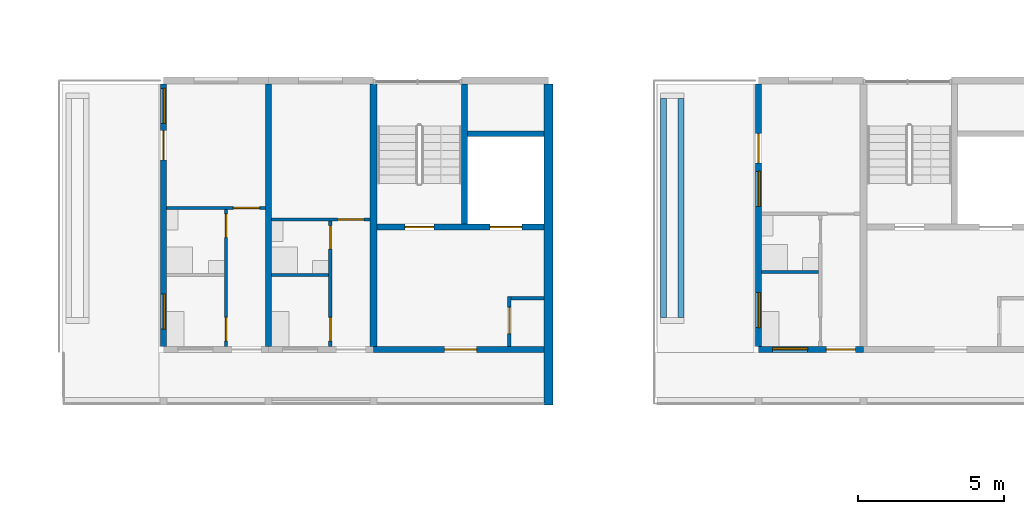
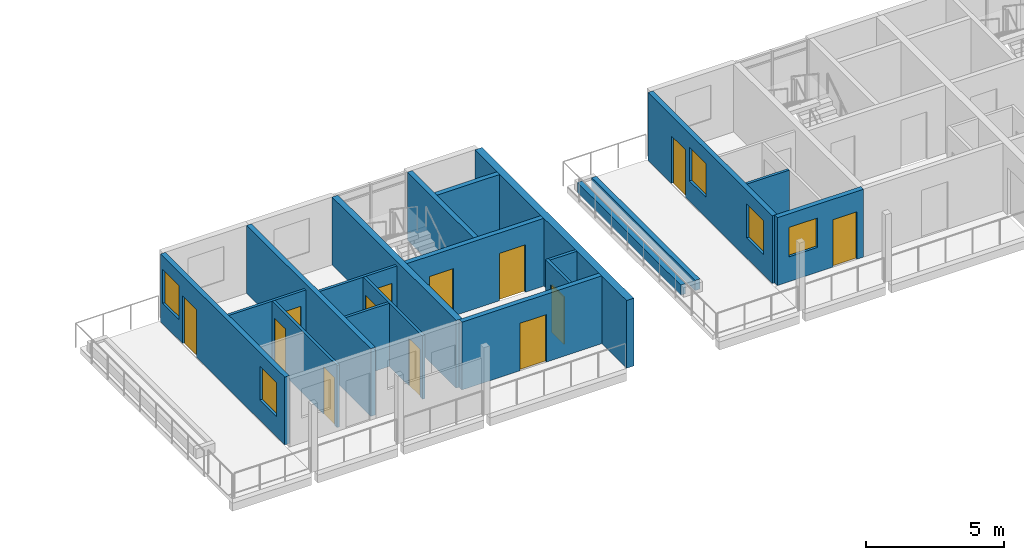
# One storey, part 50 of 94: 20 walls, 13 doors, 5 windows, 18 openings.
"""IFC4 building model written with IfcOpenShell, lengths in metres."""

from ifc_helpers import new_model, si_unit, direction, frame, frame_2d, origin, place, context, subcontext, project, spatial, rectangle, extrude, material, layer, layer_set, type_object, element, fill, save


model = new_model("IFC4")

# Units and contexts
model_context = context("Model", 3, precision=1e-05, world=origin(), true_north=direction((0.0, 1.0)))
body_context = subcontext(model_context, "Body", "Model", "MODEL_VIEW")
ifc_project = project(units=[si_unit("LENGTHUNIT", "METRE"), si_unit("AREAUNIT", "SQUARE_METRE"), si_unit("VOLUMEUNIT", "CUBIC_METRE"), si_unit("PLANEANGLEUNIT", "RADIAN"), si_unit("MASSUNIT", "GRAM", prefix="KILO")], contexts=[model_context])

# Site, building, storey
site_placement = place(None, origin())
site = spatial("IfcSite", under=ifc_project, at=site_placement, CompositionType="ELEMENT")
building_placement = place(site_placement, origin())
building = spatial("IfcBuilding", under=site, at=building_placement, Name="Ridgestep Commons", CompositionType="ELEMENT")
storey_placement = place(building_placement, frame((0.0, 0.0, 24.0)))
storey = spatial("IfcBuildingStorey", under=building, at=storey_placement, Name="L08", CompositionType="ELEMENT", Elevation=24.0)

# Wall
ifc_material_1 = material(Name="Concrete C30/37", Category="concrete")
ifc_layer_1 = layer(ifc_material_1, 0.25)
ifc_layer_set_1 = layer_set([ifc_layer_1], Name="Core cross wall 250")
wall_type_1 = type_object("IfcWallType", Name="Core cross wall 250", PredefinedType="SHEAR", material=ifc_layer_set_1)
wall_1_placement = place(storey_placement, frame((157.60009765625, 68.0, 0.0), z_axis=(0.0, 0.0, 1.0), x_axis=(0.0, 1.0, 0.0)))
element("IfcWall", 1, at=wall_1_placement, inside=storey, type_object=wall_type_1, Name="Cross wall C-08-1576", PredefinedType="SHEAR", context=body_context, shape_type="SweptSolid", body=[
    extrude(rectangle(XDim=9.0, YDim=0.25, at=frame_2d((4.5, 0.0))), origin(), (0.0, 0.0, 1.0), 3.0),
])

# Wall, opening, door
ifc_material_2 = material(Name="Concrete C30/37", Category="concrete")
ifc_layer_2 = layer(ifc_material_2, 0.199951171875)
ifc_layer_set_2 = layer_set([ifc_layer_2], Name="Core south wall 200")
wall_type_2 = type_object("IfcWallType", Name="Core south wall 200", PredefinedType="SHEAR", material=ifc_layer_set_2)
wall_2_placement = place(storey_placement, frame((157.60009765625, 67.89990234375, 0.0), z_axis=(0.0, 0.0, 1.0), x_axis=(1.0, 0.0, 0.0)))
wall_2 = element("IfcWall", 2, at=wall_2_placement, inside=storey, type_object=wall_type_2, Name="Core south wall C1C L08", PredefinedType="SHEAR", context=body_context, shape_type="SweptSolid", body=[
    extrude(rectangle(XDim=5.849853515625, YDim=0.199951171875, at=frame_2d((2.9248046875, 0.0))), origin(), (0.0, 0.0, 1.0), 3.0),
])
opening_1_placement = place(wall_2_placement, frame((2.4375, 0.0, 0.0)))
opening_1 = element("IfcOpeningElement", 3, at=opening_1_placement, cuts=wall_2, Name="Opening C1C/08/1", PredefinedType="OPENING", context=body_context, shape_type="SweptSolid", body=[
    extrude(rectangle(XDim=1.10009765625, YDim=2.10009765625, at=frame_2d((0.550048828125, 1.050048828125))), frame((0.0, 0.10986328125, 0.0), z_axis=(0.0, -1.0, 0.0), x_axis=(1.0, 0.0, 0.0)), (0.0, 0.0, 1.0), 0.219970703125),
])
ifc_material_3 = material(Name="Steel fire door", Category="steel")
door_type_1 = type_object("IfcDoorType", Name="Lobby door 1100 x 2100 FD60", OperationType="NOTDEFINED", PredefinedType="DOOR", material=ifc_material_3)
door_1_placement = place(opening_1_placement, origin())
door_1 = element("IfcDoor", 4, at=door_1_placement, inside=storey, type_object=door_type_1, Name="Lobby door C1C/08/1", OperationType="SINGLE_SWING_LEFT", OverallHeight=2.10009765625, OverallWidth=1.10009765625, PredefinedType="DOOR", context=body_context, shape_type="SweptSolid", body=[
    extrude(rectangle(XDim=1.10009765625, YDim=2.10009765625, at=frame_2d((0.550048828125, 1.050048828125))), frame((0.0, 0.02490234375, 0.0), z_axis=(0.0, -1.0, 0.0), x_axis=(1.0, 0.0, 0.0)), (0.0, 0.0, 1.0), 0.050048828125),
])
fill(opening_1, door_1)

ifc_material_4 = material(Name="Concrete C30/37", Category="concrete")
ifc_layer_3 = layer(ifc_material_4, 0.1201171875)
ifc_layer_set_3 = layer_set([ifc_layer_3], Name="Core wall 120")
wall_type_3 = type_object("IfcWallType", Name="Core wall 120", PredefinedType="SHEAR", material=ifc_layer_set_3)
wall_3_placement = place(storey_placement, frame((162.260009765625, 68.0, 0.0), z_axis=(0.0, 0.0, 1.0), x_axis=(0.0, 1.0, 0.0)))
wall_3 = element("IfcWall", 5, at=wall_3_placement, inside=storey, type_object=wall_type_3, Name="Core riser w wall C1C L08", PredefinedType="SHEAR", context=body_context, shape_type="SweptSolid", body=[
    extrude(rectangle(XDim=1.719970703125, YDim=0.1201171875, at=frame_2d((0.85986328125, 0.0))), origin(), (0.0, 0.0, 1.0), 3.0),
])
opening_2_placement = place(wall_3_placement, frame((0.449951171875, 0.0, 0.0)))
opening_2 = element("IfcOpeningElement", 6, at=opening_2_placement, cuts=wall_3, Name="Opening C1C/08/4", PredefinedType="OPENING", context=body_context, shape_type="SweptSolid", body=[
    extrude(rectangle(XDim=0.89990234375, YDim=2.10009765625, at=frame_2d((0.449951171875, 1.050048828125))), frame((0.0, 0.070068359375, 0.0), z_axis=(0.0, -1.0, 0.0), x_axis=(1.0, 0.0, 0.0)), (0.0, 0.0, 1.0), 0.14013671875),
])
ifc_material_5 = material(Name="Steel fire door", Category="steel")
door_type_2 = type_object("IfcDoorType", Name="Riser door 900 x 2100 FD60", OperationType="NOTDEFINED", PredefinedType="DOOR", material=ifc_material_5)
door_2_placement = place(opening_2_placement, origin())
door_2 = element("IfcDoor", 7, at=door_2_placement, inside=storey, type_object=door_type_2, Name="Riser door C1C/08/4", OperationType="SINGLE_SWING_LEFT", OverallHeight=2.10009765625, OverallWidth=0.89990234375, PredefinedType="DOOR", context=body_context, shape_type="SweptSolid", body=[
    extrude(rectangle(XDim=0.89990234375, YDim=2.10009765625, at=frame_2d((0.449951171875, 1.050048828125))), frame((0.0, 0.02490234375, 0.0), z_axis=(0.0, -1.0, 0.0), x_axis=(1.0, 0.0, 0.0)), (0.0, 0.0, 1.0), 0.050048828125),
])
fill(opening_2, door_2)

# Wall
wall_4_placement = place(storey_placement, frame((162.320068359375, 69.659912109375, 0.0), z_axis=(0.0, 0.0, 1.0), x_axis=(1.0, 0.0, 0.0)))
element("IfcWall", 8, at=wall_4_placement, inside=storey, type_object=wall_type_3, Name="Core riser n wall C1C L08", PredefinedType="SHEAR", context=body_context, shape_type="SweptSolid", body=[
    extrude(rectangle(XDim=1.1298828125, YDim=0.1201171875, at=frame_2d((0.56494140625, 0.0))), origin(), (0.0, 0.0, 1.0), 3.0),
])

# Wall, openings, doors
ifc_material_6 = material(Name="Concrete C30/37", Category="concrete")
ifc_layer_4 = layer(ifc_material_6, 0.199951171875)
ifc_layer_set_4 = layer_set([ifc_layer_4], Name="Core wall 200")
wall_type_4 = type_object("IfcWallType", Name="Core wall 200", PredefinedType="SHEAR", material=ifc_layer_set_4)
wall_5_placement = place(storey_placement, frame((157.72509765625, 72.10009765625, 0.0), z_axis=(0.0, 0.0, 1.0), x_axis=(1.0, 0.0, 0.0)))
wall_5 = element("IfcWall", 9, at=wall_5_placement, inside=storey, type_object=wall_type_4, Name="Core lobby wall C1C L08", PredefinedType="SHEAR", context=body_context, shape_type="SweptSolid", body=[
    extrude(rectangle(XDim=5.724853515625, YDim=0.199951171875, at=frame_2d((2.8623046875, 0.0))), origin(), (0.0, 0.0, 1.0), 3.0),
])
opening_3_placement = place(wall_5_placement, frame((0.949951171875, 0.0, 0.0)))
opening_3 = element("IfcOpeningElement", 10, at=opening_3_placement, cuts=wall_5, Name="Opening C1C/08/2", PredefinedType="OPENING", context=body_context, shape_type="SweptSolid", body=[
    extrude(rectangle(XDim=1.0, YDim=2.10009765625, at=frame_2d((0.5, 1.050048828125))), frame((0.0, 0.10986328125, 0.0), z_axis=(0.0, -1.0, 0.0), x_axis=(1.0, 0.0, 0.0)), (0.0, 0.0, 1.0), 0.219970703125),
])
opening_4_placement = place(wall_5_placement, frame((3.862548828125, 0.0, 0.0)))
opening_4 = element("IfcOpeningElement", 11, at=opening_4_placement, cuts=wall_5, Name="Opening C1C/08/3", PredefinedType="OPENING", context=body_context, shape_type="SweptSolid", body=[
    extrude(rectangle(XDim=1.10009765625, YDim=2.10009765625, at=frame_2d((0.550048828125, 1.050048828125))), frame((0.0, 0.10986328125, 0.0), z_axis=(0.0, -1.0, 0.0), x_axis=(1.0, 0.0, 0.0)), (0.0, 0.0, 1.0), 0.219970703125),
])
ifc_material_7 = material(Name="Stainless steel", Category="steel")
door_type_3 = type_object("IfcDoorType", Name="Lift landing door 1100 x 2100 FD60", OperationType="DOUBLE_DOOR_SLIDING", PredefinedType="DOOR", material=ifc_material_7)
door_3_placement = place(opening_4_placement, origin())
door_3 = element("IfcDoor", 12, at=door_3_placement, inside=storey, type_object=door_type_3, Name="Landing door LD C1C L08", OperationType="DOUBLE_DOOR_SLIDING", OverallHeight=2.10009765625, OverallWidth=1.10009765625, PredefinedType="DOOR", context=body_context, shape_type="SweptSolid", body=[
    extrude(rectangle(XDim=1.10009765625, YDim=2.10009765625, at=frame_2d((0.550048828125, 1.050048828125))), frame((0.0, 0.02490234375, 0.0), z_axis=(0.0, -1.0, 0.0), x_axis=(1.0, 0.0, 0.0)), (0.0, 0.0, 1.0), 0.050048828125),
])
fill(opening_4, door_3)
ifc_material_8 = material(Name="Steel fire door", Category="steel")
door_type_4 = type_object("IfcDoorType", Name="Stair door 1000 x 2100 FD60", OperationType="NOTDEFINED", PredefinedType="DOOR", material=ifc_material_8)
door_4_placement = place(opening_3_placement, origin())
door_4 = element("IfcDoor", 13, at=door_4_placement, inside=storey, type_object=door_type_4, Name="Stair door C1C/08/2", OperationType="SINGLE_SWING_RIGHT", OverallHeight=2.10009765625, OverallWidth=1.0, PredefinedType="DOOR", context=body_context, shape_type="SweptSolid", body=[
    extrude(rectangle(XDim=1.0, YDim=2.10009765625, at=frame_2d((0.5, 1.050048828125))), frame((0.0, 0.02490234375, 0.0), z_axis=(0.0, -1.0, 0.0), x_axis=(1.0, 0.0, 0.0)), (0.0, 0.0, 1.0), 0.050048828125),
])
fill(opening_3, door_4)

# Walls
wall_6_placement = place(storey_placement, frame((160.72509765625, 72.199951171875, 0.0), z_axis=(0.0, 0.0, 1.0), x_axis=(0.0, 1.0, 0.0)))
element("IfcWall", 14, at=wall_6_placement, inside=storey, type_object=wall_type_4, Name="Core stair wall C1C L08", PredefinedType="SHEAR", context=body_context, shape_type="SweptSolid", body=[
    extrude(rectangle(XDim=4.800048828125, YDim=0.199951171875, at=frame_2d((2.39990234375, 0.0))), origin(), (0.0, 0.0, 1.0), 3.0),
])
wall_7_placement = place(storey_placement, frame((160.824951171875, 75.300048828125, 0.0), z_axis=(0.0, 0.0, 1.0), x_axis=(1.0, 0.0, 0.0)))
element("IfcWall", 15, at=wall_7_placement, inside=storey, type_object=wall_type_4, Name="Core duct wall C1C L08", PredefinedType="SHEAR", context=body_context, shape_type="SweptSolid", body=[
    extrude(rectangle(XDim=2.625, YDim=0.199951171875, at=frame_2d((1.3125, 0.0))), origin(), (0.0, 0.0, 1.0), 3.0),
])
ifc_material_9 = material(Name="Precast concrete C40/50", Category="concrete")
ifc_layer_5 = layer(ifc_material_9, 0.199951171875)
ifc_layer_set_5 = layer_set([ifc_layer_5], Name="Cross wall 200")
wall_type_5 = type_object("IfcWallType", Name="Cross wall 200", PredefinedType="SHEAR", material=ifc_layer_set_5)
wall_8_placement = place(storey_placement, frame((154.0, 68.0, 0.0), z_axis=(0.0, 0.0, 1.0), x_axis=(0.0, 1.0, 0.0)))
element("IfcWall", 16, at=wall_8_placement, inside=storey, type_object=wall_type_5, Name="Cross wall C-08-1540", PredefinedType="SHEAR", context=body_context, shape_type="SweptSolid", body=[
    extrude(rectangle(XDim=9.0, YDim=0.199951171875, at=frame_2d((4.5, 0.0))), origin(), (0.0, 0.0, 1.0), 3.0),
])

# Wall, openings, windows, door
ifc_material_10 = material(Name="Precast concrete C40/50", Category="concrete")
ifc_layer_6 = layer(ifc_material_10, 0.199951171875)
ifc_layer_set_6 = layer_set([ifc_layer_6], Name="Exposed cross wall 200")
wall_type_6 = type_object("IfcWallType", Name="Exposed cross wall 200", PredefinedType="SHEAR", material=ifc_layer_set_6)
wall_9_placement = place(storey_placement, frame((150.39990234375, 68.0, 0.0), z_axis=(0.0, 0.0, 1.0), x_axis=(0.0, 1.0, 0.0)))
wall_9 = element("IfcWall", 17, at=wall_9_placement, inside=storey, type_object=wall_type_6, Name="Cross wall C-08-1504", PredefinedType="SHEAR", context=body_context, shape_type="SweptSolid", body=[
    extrude(rectangle(XDim=9.0, YDim=0.199951171875, at=frame_2d((4.5, 0.0))), origin(), (0.0, 0.0, 1.0), 3.0),
])
opening_5_placement = place(wall_9_placement, frame((0.60009765625, 0.0, 0.89990234375)))
opening_5 = element("IfcOpeningElement", 18, at=opening_5_placement, cuts=wall_9, Name="Opening W10", PredefinedType="OPENING", context=body_context, shape_type="SweptSolid", body=[
    extrude(rectangle(XDim=1.199951171875, YDim=1.5, at=frame_2d((0.60009765625, 0.75))), frame((0.0, 0.10986328125, 0.0), z_axis=(0.0, -1.0, 0.0), x_axis=(1.0, 0.0, 0.0)), (0.0, 0.0, 1.0), 0.219970703125),
])
opening_6_placement = place(wall_9_placement, frame((7.652587890625, 0.0, 0.89990234375)))
opening_6 = element("IfcOpeningElement", 19, at=opening_6_placement, cuts=wall_9, Name="Opening W10", PredefinedType="OPENING", context=body_context, shape_type="SweptSolid", body=[
    extrude(rectangle(XDim=1.199951171875, YDim=1.5, at=frame_2d((0.60009765625, 0.75))), frame((0.0, 0.10986328125, 0.0), z_axis=(0.0, -1.0, 0.0), x_axis=(1.0, 0.0, 0.0)), (0.0, 0.0, 1.0), 0.219970703125),
])
opening_7_placement = place(wall_9_placement, frame((6.405029296875, 0.0, 0.0)))
opening_7 = element("IfcOpeningElement", 20, at=opening_7_placement, cuts=wall_9, Name="Opening C1-08a/5", PredefinedType="OPENING", context=body_context, shape_type="SweptSolid", body=[
    extrude(rectangle(XDim=1.0, YDim=2.10009765625, at=frame_2d((0.5, 1.050048828125))), frame((0.0, 0.10986328125, 0.0), z_axis=(0.0, -1.0, 0.0), x_axis=(1.0, 0.0, 0.0)), (0.0, 0.0, 1.0), 0.219970703125),
])
ifc_material_11 = material(Name="Aluminium 6063-T6 and glass", Category="aluminium")
window_type_1 = type_object("IfcWindowType", Name="Flat window 1200 x 1500", PartitioningType="SINGLE_PANEL", PredefinedType="WINDOW", material=ifc_material_11)
window_1_placement = place(opening_5_placement, origin())
window_1 = element("IfcWindow", 21, at=window_1_placement, inside=storey, type_object=window_type_1, Name="Window C1-08a 3", OverallHeight=1.5, OverallWidth=1.199951171875, PartitioningType="SINGLE_PANEL", PredefinedType="WINDOW", context=body_context, shape_type="SweptSolid", body=[
    extrude(rectangle(XDim=1.199951171875, YDim=1.5, at=frame_2d((0.60009765625, 0.75))), frame((0.0, 0.0, 0.0), z_axis=(0.0, -1.0, 0.0), x_axis=(1.0, 0.0, 0.0)), (0.0, 0.0, 1.0), 0.06005859375),
])
fill(opening_5, window_1)
window_2_placement = place(opening_6_placement, origin())
window_2 = element("IfcWindow", 22, at=window_2_placement, inside=storey, type_object=window_type_1, Name="Window C1-08a 4", OverallHeight=1.5, OverallWidth=1.199951171875, PartitioningType="SINGLE_PANEL", PredefinedType="WINDOW", context=body_context, shape_type="SweptSolid", body=[
    extrude(rectangle(XDim=1.199951171875, YDim=1.5, at=frame_2d((0.60009765625, 0.75))), frame((0.0, 0.0, 0.0), z_axis=(0.0, -1.0, 0.0), x_axis=(1.0, 0.0, 0.0)), (0.0, 0.0, 1.0), 0.06005859375),
])
fill(opening_6, window_2)
ifc_material_12 = material(Name="Aluminium and glass", Category="aluminium")
door_type_5 = type_object("IfcDoorType", Name="Terrace door 1000 x 2100", OperationType="NOTDEFINED", PredefinedType="DOOR", material=ifc_material_12)
door_5_placement = place(opening_7_placement, origin())
door_5 = element("IfcDoor", 23, at=door_5_placement, inside=storey, type_object=door_type_5, Name="Terrace door C1-08a/5", OperationType="SINGLE_SWING_RIGHT", OverallHeight=2.10009765625, OverallWidth=1.0, PredefinedType="DOOR", context=body_context, shape_type="SweptSolid", body=[
    extrude(rectangle(XDim=1.0, YDim=2.10009765625, at=frame_2d((0.5, 1.050048828125))), frame((0.0, 0.02490234375, 0.0), z_axis=(0.0, -1.0, 0.0), x_axis=(1.0, 0.0, 0.0)), (0.0, 0.0, 1.0), 0.050048828125),
])
fill(opening_7, door_5)

wall_10_placement = place(storey_placement, frame((170.800048828125, 68.0, 0.0), z_axis=(0.0, 0.0, 1.0), x_axis=(0.0, 1.0, 0.0)))
wall_10 = element("IfcWall", 24, at=wall_10_placement, inside=storey, type_object=wall_type_6, Name="Cross wall C-08-1708", PredefinedType="SHEAR", context=body_context, shape_type="SweptSolid", body=[
    extrude(rectangle(XDim=9.0, YDim=0.199951171875, at=frame_2d((4.5, 0.0))), origin(), (0.0, 0.0, 1.0), 3.0),
])
opening_8_placement = place(wall_10_placement, frame((0.64990234375, 0.0, 0.89990234375)))
opening_8 = element("IfcOpeningElement", 25, at=opening_8_placement, cuts=wall_10, Name="Opening W10", PredefinedType="OPENING", context=body_context, shape_type="SweptSolid", body=[
    extrude(rectangle(XDim=1.199951171875, YDim=1.5, at=frame_2d((0.60009765625, 0.75))), frame((0.0, 0.10986328125, 0.0), z_axis=(0.0, -1.0, 0.0), x_axis=(1.0, 0.0, 0.0)), (0.0, 0.0, 1.0), 0.219970703125),
])
opening_9_placement = place(wall_10_placement, frame((4.8076171875, 0.0, 0.89990234375)))
opening_9 = element("IfcOpeningElement", 26, at=opening_9_placement, cuts=wall_10, Name="Opening W10", PredefinedType="OPENING", context=body_context, shape_type="SweptSolid", body=[
    extrude(rectangle(XDim=1.199951171875, YDim=1.5, at=frame_2d((0.60009765625, 0.75))), frame((0.0, 0.10986328125, 0.0), z_axis=(0.0, -1.0, 0.0), x_axis=(1.0, 0.0, 0.0)), (0.0, 0.0, 1.0), 0.219970703125),
])
opening_10_placement = place(wall_10_placement, frame((6.304931640625, 0.0, 0.0)))
opening_10 = element("IfcOpeningElement", 27, at=opening_10_placement, cuts=wall_10, Name="Opening C2-08a/5", PredefinedType="OPENING", context=body_context, shape_type="SweptSolid", body=[
    extrude(rectangle(XDim=1.0, YDim=2.10009765625, at=frame_2d((0.5, 1.050048828125))), frame((0.0, 0.10986328125, 0.0), z_axis=(0.0, -1.0, 0.0), x_axis=(1.0, 0.0, 0.0)), (0.0, 0.0, 1.0), 0.219970703125),
])
window_3_placement = place(opening_8_placement, origin())
window_3 = element("IfcWindow", 28, at=window_3_placement, inside=storey, type_object=window_type_1, Name="Window C2-08a 3", OverallHeight=1.5, OverallWidth=1.199951171875, PartitioningType="SINGLE_PANEL", PredefinedType="WINDOW", context=body_context, shape_type="SweptSolid", body=[
    extrude(rectangle(XDim=1.199951171875, YDim=1.5, at=frame_2d((0.60009765625, 0.75))), frame((0.0, 0.0, 0.0), z_axis=(0.0, -1.0, 0.0), x_axis=(1.0, 0.0, 0.0)), (0.0, 0.0, 1.0), 0.06005859375),
])
fill(opening_8, window_3)
window_4_placement = place(opening_9_placement, origin())
window_4 = element("IfcWindow", 29, at=window_4_placement, inside=storey, type_object=window_type_1, Name="Window C2-08a 4", OverallHeight=1.5, OverallWidth=1.199951171875, PartitioningType="SINGLE_PANEL", PredefinedType="WINDOW", context=body_context, shape_type="SweptSolid", body=[
    extrude(rectangle(XDim=1.199951171875, YDim=1.5, at=frame_2d((0.60009765625, 0.75))), frame((0.0, 0.0, 0.0), z_axis=(0.0, -1.0, 0.0), x_axis=(1.0, 0.0, 0.0)), (0.0, 0.0, 1.0), 0.06005859375),
])
fill(opening_9, window_4)
door_6_placement = place(opening_10_placement, origin())
door_6 = element("IfcDoor", 30, at=door_6_placement, inside=storey, type_object=door_type_5, Name="Terrace door C2-08a/5", OperationType="SINGLE_SWING_RIGHT", OverallHeight=2.10009765625, OverallWidth=1.0, PredefinedType="DOOR", context=body_context, shape_type="SweptSolid", body=[
    extrude(rectangle(XDim=1.0, YDim=2.10009765625, at=frame_2d((0.5, 1.050048828125))), frame((0.0, 0.02490234375, 0.0), z_axis=(0.0, -1.0, 0.0), x_axis=(1.0, 0.0, 0.0)), (0.0, 0.0, 1.0), 0.050048828125),
])
fill(opening_10, door_6)

# Wall
ifc_material_13 = material(Name="Precast concrete C40/50", Category="concrete")
ifc_layer_7 = layer(ifc_material_13, 0.300048828125)
ifc_layer_set_7 = layer_set([ifc_layer_7], Name="Exposed division wall 300")
wall_type_7 = type_object("IfcWallType", Name="Exposed division wall 300", PredefinedType="SHEAR", material=ifc_layer_set_7)
wall_11_placement = place(storey_placement, frame((163.60009765625, 66.0, 0.0), z_axis=(0.0, 0.0, 1.0), x_axis=(0.0, 1.0, 0.0)))
element("IfcWall", 31, at=wall_11_placement, inside=storey, type_object=wall_type_7, Name="Cross wall C-08-1636", PredefinedType="SHEAR", context=body_context, shape_type="SweptSolid", body=[
    extrude(rectangle(XDim=11.0, YDim=0.300048828125, at=frame_2d((5.5, 0.0))), origin(), (0.0, 0.0, 1.0), 3.0),
])

# Wall, openings, doors
ifc_material_14 = material(Name="Common brick 110 mm", Category="masonry")
ifc_layer_8 = layer(ifc_material_14, 0.110107421875)
ifc_layer_set_8 = layer_set([ifc_layer_8], Name="Partition 110")
wall_type_8 = type_object("IfcWallType", Name="Partition 110", PredefinedType="PARTITIONING", material=ifc_layer_set_8)
wall_12_placement = place(storey_placement, frame((152.544921875, 68.0, 0.0), z_axis=(0.0, 0.0, 1.0), x_axis=(0.0, 1.0, 0.0)))
wall_12 = element("IfcWall", 32, at=wall_12_placement, inside=storey, type_object=wall_type_8, Name="Partition C1-08a", PredefinedType="PARTITIONING", context=body_context, shape_type="SweptSolid", body=[
    extrude(rectangle(XDim=4.699951171875, YDim=0.110107421875, at=frame_2d((2.35009765625, 0.0))), origin(), (0.0, 0.0, 1.0), 2.75),
])
opening_11_placement = place(wall_12_placement, frame((0.199951171875, 0.0, 0.0)))
opening_11 = element("IfcOpeningElement", 33, at=opening_11_placement, cuts=wall_12, Name="Opening C1-08a/2", PredefinedType="OPENING", context=body_context, shape_type="SweptSolid", body=[
    extrude(rectangle(XDim=0.800048828125, YDim=2.10009765625, at=frame_2d((0.39990234375, 1.050048828125))), frame((0.0, 0.06494140625, 0.0), z_axis=(0.0, -1.0, 0.0), x_axis=(1.0, 0.0, 0.0)), (0.0, 0.0, 1.0), 0.130126953125),
])
opening_12_placement = place(wall_12_placement, frame((3.75, 0.0, 0.0)))
opening_12 = element("IfcOpeningElement", 34, at=opening_12_placement, cuts=wall_12, Name="Opening C1-08a/3", PredefinedType="OPENING", context=body_context, shape_type="SweptSolid", body=[
    extrude(rectangle(XDim=0.800048828125, YDim=2.10009765625, at=frame_2d((0.39990234375, 1.050048828125))), frame((0.0, 0.06494140625, 0.0), z_axis=(0.0, -1.0, 0.0), x_axis=(1.0, 0.0, 0.0)), (0.0, 0.0, 1.0), 0.130126953125),
])
ifc_material_15 = material(Name="Timber door leaf", Category="wood")
door_type_6 = type_object("IfcDoorType", Name="Internal door 800 x 2100", OperationType="NOTDEFINED", PredefinedType="DOOR", material=ifc_material_15)
door_7_placement = place(opening_11_placement, origin())
door_7 = element("IfcDoor", 35, at=door_7_placement, inside=storey, type_object=door_type_6, Name="Internal door C1-08a/2", OperationType="SINGLE_SWING_LEFT", OverallHeight=2.10009765625, OverallWidth=0.800048828125, PredefinedType="DOOR", context=body_context, shape_type="SweptSolid", body=[
    extrude(rectangle(XDim=0.800048828125, YDim=2.10009765625, at=frame_2d((0.39990234375, 1.050048828125))), frame((0.0, 0.02490234375, 0.0), z_axis=(0.0, -1.0, 0.0), x_axis=(1.0, 0.0, 0.0)), (0.0, 0.0, 1.0), 0.050048828125),
])
fill(opening_11, door_7)
door_8_placement = place(opening_12_placement, origin())
door_8 = element("IfcDoor", 36, at=door_8_placement, inside=storey, type_object=door_type_6, Name="Internal door C1-08a/3", OperationType="SINGLE_SWING_RIGHT", OverallHeight=2.10009765625, OverallWidth=0.800048828125, PredefinedType="DOOR", context=body_context, shape_type="SweptSolid", body=[
    extrude(rectangle(XDim=0.800048828125, YDim=2.10009765625, at=frame_2d((0.39990234375, 1.050048828125))), frame((0.0, 0.02490234375, 0.0), z_axis=(0.0, -1.0, 0.0), x_axis=(1.0, 0.0, 0.0)), (0.0, 0.0, 1.0), 0.050048828125),
])
fill(opening_12, door_8)

# Wall, opening, door
wall_13_placement = place(storey_placement, frame((150.5, 72.7548828125, 0.0), z_axis=(0.0, 0.0, 1.0), x_axis=(1.0, 0.0, 0.0)))
wall_13 = element("IfcWall", 37, at=wall_13_placement, inside=storey, type_object=wall_type_8, Name="Partition C1-08a", PredefinedType="PARTITIONING", context=body_context, shape_type="SweptSolid", body=[
    extrude(rectangle(XDim=3.39990234375, YDim=0.110107421875, at=frame_2d((1.699951171875, 0.0))), origin(), (0.0, 0.0, 1.0), 2.75),
])
opening_13_placement = place(wall_13_placement, frame((2.300048828125, 0.0, 0.0)))
opening_13 = element("IfcOpeningElement", 38, at=opening_13_placement, cuts=wall_13, Name="Opening C1-08a/4", PredefinedType="OPENING", context=body_context, shape_type="SweptSolid", body=[
    extrude(rectangle(XDim=0.89990234375, YDim=2.10009765625, at=frame_2d((0.449951171875, 1.050048828125))), frame((0.0, 0.06494140625, 0.0), z_axis=(0.0, -1.0, 0.0), x_axis=(1.0, 0.0, 0.0)), (0.0, 0.0, 1.0), 0.130126953125),
])
ifc_material_16 = material(Name="Timber door leaf", Category="wood")
door_type_7 = type_object("IfcDoorType", Name="Internal door 900 x 2100", OperationType="NOTDEFINED", PredefinedType="DOOR", material=ifc_material_16)
door_9_placement = place(opening_13_placement, origin())
door_9 = element("IfcDoor", 39, at=door_9_placement, inside=storey, type_object=door_type_7, Name="Internal door C1-08a/4", OperationType="SINGLE_SWING_LEFT", OverallHeight=2.10009765625, OverallWidth=0.89990234375, PredefinedType="DOOR", context=body_context, shape_type="SweptSolid", body=[
    extrude(rectangle(XDim=0.89990234375, YDim=2.10009765625, at=frame_2d((0.449951171875, 1.050048828125))), frame((0.0, 0.02490234375, 0.0), z_axis=(0.0, -1.0, 0.0), x_axis=(1.0, 0.0, 0.0)), (0.0, 0.0, 1.0), 0.050048828125),
])
fill(opening_13, door_9)

# Wall
wall_14_placement = place(storey_placement, frame((154.10009765625, 70.455078125, 0.0), z_axis=(0.0, 0.0, 1.0), x_axis=(1.0, 0.0, 0.0)))
element("IfcWall", 40, at=wall_14_placement, inside=storey, type_object=wall_type_8, Name="Partition C1-08b", PredefinedType="PARTITIONING", context=body_context, shape_type="SweptSolid", body=[
    extrude(rectangle(XDim=1.96484375, YDim=0.110107421875, at=frame_2d((0.982421875, 0.0))), origin(), (0.0, 0.0, 1.0), 2.800048828125),
])

# Wall, openings, doors
wall_15_placement = place(storey_placement, frame((156.1201171875, 68.0, 0.0), z_axis=(0.0, 0.0, 1.0), x_axis=(0.0, 1.0, 0.0)))
wall_15 = element("IfcWall", 41, at=wall_15_placement, inside=storey, type_object=wall_type_8, Name="Partition C1-08b", PredefinedType="PARTITIONING", context=body_context, shape_type="SweptSolid", body=[
    extrude(rectangle(XDim=4.300048828125, YDim=0.110107421875, at=frame_2d((2.14990234375, 0.0))), origin(), (0.0, 0.0, 1.0), 2.800048828125),
])
opening_14_placement = place(wall_15_placement, frame((0.199951171875, 0.0, 0.0)))
opening_14 = element("IfcOpeningElement", 42, at=opening_14_placement, cuts=wall_15, Name="Opening C1-08b/2", PredefinedType="OPENING", context=body_context, shape_type="SweptSolid", body=[
    extrude(rectangle(XDim=0.800048828125, YDim=2.10009765625, at=frame_2d((0.39990234375, 1.050048828125))), frame((0.0, 0.06494140625, 0.0), z_axis=(0.0, -1.0, 0.0), x_axis=(1.0, 0.0, 0.0)), (0.0, 0.0, 1.0), 0.130126953125),
])
opening_15_placement = place(wall_15_placement, frame((3.35009765625, 0.0, 0.0)))
opening_15 = element("IfcOpeningElement", 43, at=opening_15_placement, cuts=wall_15, Name="Opening C1-08b/3", PredefinedType="OPENING", context=body_context, shape_type="SweptSolid", body=[
    extrude(rectangle(XDim=0.800048828125, YDim=2.10009765625, at=frame_2d((0.39990234375, 1.050048828125))), frame((0.0, 0.06494140625, 0.0), z_axis=(0.0, -1.0, 0.0), x_axis=(1.0, 0.0, 0.0)), (0.0, 0.0, 1.0), 0.130126953125),
])
door_10_placement = place(opening_14_placement, origin())
door_10 = element("IfcDoor", 44, at=door_10_placement, inside=storey, type_object=door_type_6, Name="Internal door C1-08b/2", OperationType="SINGLE_SWING_LEFT", OverallHeight=2.10009765625, OverallWidth=0.800048828125, PredefinedType="DOOR", context=body_context, shape_type="SweptSolid", body=[
    extrude(rectangle(XDim=0.800048828125, YDim=2.10009765625, at=frame_2d((0.39990234375, 1.050048828125))), frame((0.0, 0.02490234375, 0.0), z_axis=(0.0, -1.0, 0.0), x_axis=(1.0, 0.0, 0.0)), (0.0, 0.0, 1.0), 0.050048828125),
])
fill(opening_14, door_10)
door_11_placement = place(opening_15_placement, origin())
door_11 = element("IfcDoor", 45, at=door_11_placement, inside=storey, type_object=door_type_6, Name="Internal door C1-08b/3", OperationType="SINGLE_SWING_RIGHT", OverallHeight=2.10009765625, OverallWidth=0.800048828125, PredefinedType="DOOR", context=body_context, shape_type="SweptSolid", body=[
    extrude(rectangle(XDim=0.800048828125, YDim=2.10009765625, at=frame_2d((0.39990234375, 1.050048828125))), frame((0.0, 0.02490234375, 0.0), z_axis=(0.0, -1.0, 0.0), x_axis=(1.0, 0.0, 0.0)), (0.0, 0.0, 1.0), 0.050048828125),
])
fill(opening_15, door_11)

# Wall, opening, door
wall_16_placement = place(storey_placement, frame((154.10009765625, 72.35498046875, 0.0), z_axis=(0.0, 0.0, 1.0), x_axis=(1.0, 0.0, 0.0)))
wall_16 = element("IfcWall", 46, at=wall_16_placement, inside=storey, type_object=wall_type_8, Name="Partition C1-08b", PredefinedType="PARTITIONING", context=body_context, shape_type="SweptSolid", body=[
    extrude(rectangle(XDim=3.375, YDim=0.110107421875, at=frame_2d((1.6875, 0.0))), origin(), (0.0, 0.0, 1.0), 2.800048828125),
])
opening_16_placement = place(wall_16_placement, frame((2.27490234375, 0.0, 0.0)))
opening_16 = element("IfcOpeningElement", 47, at=opening_16_placement, cuts=wall_16, Name="Opening C1-08b/4", PredefinedType="OPENING", context=body_context, shape_type="SweptSolid", body=[
    extrude(rectangle(XDim=0.89990234375, YDim=2.10009765625, at=frame_2d((0.449951171875, 1.050048828125))), frame((0.0, 0.06494140625, 0.0), z_axis=(0.0, -1.0, 0.0), x_axis=(1.0, 0.0, 0.0)), (0.0, 0.0, 1.0), 0.130126953125),
])
door_12_placement = place(opening_16_placement, origin())
door_12 = element("IfcDoor", 48, at=door_12_placement, inside=storey, type_object=door_type_7, Name="Internal door C1-08b/4", OperationType="SINGLE_SWING_LEFT", OverallHeight=2.10009765625, OverallWidth=0.89990234375, PredefinedType="DOOR", context=body_context, shape_type="SweptSolid", body=[
    extrude(rectangle(XDim=0.89990234375, YDim=2.10009765625, at=frame_2d((0.449951171875, 1.050048828125))), frame((0.0, 0.02490234375, 0.0), z_axis=(0.0, -1.0, 0.0), x_axis=(1.0, 0.0, 0.0)), (0.0, 0.0, 1.0), 0.050048828125),
])
fill(opening_16, door_12)

# Walls
wall_17_placement = place(storey_placement, frame((170.89990234375, 70.554931640625, 0.0), z_axis=(0.0, 0.0, 1.0), x_axis=(1.0, 0.0, 0.0)))
element("IfcWall", 49, at=wall_17_placement, inside=storey, type_object=wall_type_8, Name="Partition C2-08a", PredefinedType="PARTITIONING", context=body_context, shape_type="SweptSolid", body=[
    extrude(rectangle(XDim=1.965087890625, YDim=0.110107421875, at=frame_2d((0.982421875, 0.0))), origin(), (0.0, 0.0, 1.0), 2.75),
])
ifc_material_17 = material(Name="Facing brick", Category="masonry")
ifc_layer_9 = layer(ifc_material_17, 0.199951171875)
ifc_layer_set_9 = layer_set([ifc_layer_9], Name="Planter wall 200")
wall_type_9 = type_object("IfcWallType", Name="Planter wall 200", PredefinedType="SOLIDWALL", material=ifc_layer_set_9)
for number, where, z_axis, x_axis, name in (
    (50, (167.550048828125, 69.0, 0.010009765625), (0.0, 0.0, 1.0), (0.0, 1.0, 0.0), "Planter wall C2R2W"),
    (51, (168.14990234375, 69.0, 0.010009765625), (0.0, 0.0, 1.0), (0.0, 1.0, 0.0), "Planter wall C2R2E"),
):
    element("IfcWall", number, at=place(storey_placement, frame(where, z_axis=z_axis, x_axis=x_axis)), inside=storey, type_object=wall_type_9, Name=name, PredefinedType="SOLIDWALL", context=body_context, shape_type="SweptSolid", body=[
        extrude(rectangle(XDim=7.5, YDim=0.199951171875, at=frame_2d((3.75, 0.0))), origin(), (0.0, 0.0, 1.0), 0.449951171875),
    ])

# Wall, openings, door, window
ifc_material_18 = material(Name="Precast concrete C40/50", Category="concrete")
ifc_layer_10 = layer(ifc_material_18, 0.199951171875)
ifc_layer_set_10 = layer_set([ifc_layer_10], Name="South facade panel 200")
wall_type_10 = type_object("IfcWallType", Name="South facade panel 200", PredefinedType="SOLIDWALL", material=ifc_layer_set_10)
wall_18_placement = place(storey_placement, frame((170.800048828125, 67.89990234375, 0.0), z_axis=(0.0, 0.0, 1.0), x_axis=(1.0, 0.0, 0.0)))
wall_18 = element("IfcWall", 52, at=wall_18_placement, inside=storey, type_object=wall_type_10, Name="South panel C2T3 L08", PredefinedType="SOLIDWALL", context=body_context, shape_type="SweptSolid", body=[
    extrude(rectangle(XDim=3.599853515625, YDim=0.199951171875, at=frame_2d((1.7998046875, 0.0))), origin(), (0.0, 0.0, 1.0), 3.0),
])
opening_17_placement = place(wall_18_placement, frame((0.482421875, 0.0, 1.10009765625)))
opening_17 = element("IfcOpeningElement", 53, at=opening_17_placement, cuts=wall_18, Name="Opening W08", PredefinedType="OPENING", context=body_context, shape_type="SweptSolid", body=[
    extrude(rectangle(XDim=1.199951171875, YDim=1.300048828125, at=frame_2d((0.60009765625, 0.64990234375))), frame((0.0, 0.10986328125, 0.0), z_axis=(0.0, -1.0, 0.0), x_axis=(1.0, 0.0, 0.0)), (0.0, 0.0, 1.0), 0.219970703125),
])
opening_18_placement = place(wall_18_placement, frame((2.324951171875, 0.0, 0.0)))
opening_18 = element("IfcOpeningElement", 54, at=opening_18_placement, cuts=wall_18, Name="Opening C2-08a/1", PredefinedType="OPENING", context=body_context, shape_type="SweptSolid", body=[
    extrude(rectangle(XDim=1.0, YDim=2.10009765625, at=frame_2d((0.5, 1.050048828125))), frame((0.0, 0.10986328125, 0.0), z_axis=(0.0, -1.0, 0.0), x_axis=(1.0, 0.0, 0.0)), (0.0, 0.0, 1.0), 0.219970703125),
])
ifc_material_19 = material(Name="Timber door leaf", Category="wood")
door_type_8 = type_object("IfcDoorType", Name="Flat entrance door 1000 x 2100 FD30S", OperationType="NOTDEFINED", PredefinedType="DOOR", material=ifc_material_19)
door_13_placement = place(opening_18_placement, origin())
door_13 = element("IfcDoor", 55, at=door_13_placement, inside=storey, type_object=door_type_8, Name="Flat entrance door C2-08a/1", OperationType="SINGLE_SWING_RIGHT", OverallHeight=2.10009765625, OverallWidth=1.0, PredefinedType="DOOR", context=body_context, shape_type="SweptSolid", body=[
    extrude(rectangle(XDim=1.0, YDim=2.10009765625, at=frame_2d((0.5, 1.050048828125))), frame((0.0, 0.02490234375, 0.0), z_axis=(0.0, -1.0, 0.0), x_axis=(1.0, 0.0, 0.0)), (0.0, 0.0, 1.0), 0.050048828125),
])
fill(opening_18, door_13)
ifc_material_20 = material(Name="Aluminium 6063-T6 and glass", Category="aluminium")
window_type_2 = type_object("IfcWindowType", Name="Flat window 1200 x 1300", PartitioningType="SINGLE_PANEL", PredefinedType="WINDOW", material=ifc_material_20)
window_5_placement = place(opening_17_placement, origin())
window_5 = element("IfcWindow", 56, at=window_5_placement, inside=storey, type_object=window_type_2, Name="Window C2-08a 1", OverallHeight=1.300048828125, OverallWidth=1.199951171875, PartitioningType="SINGLE_PANEL", PredefinedType="WINDOW", context=body_context, shape_type="SweptSolid", body=[
    extrude(rectangle(XDim=1.199951171875, YDim=1.300048828125, at=frame_2d((0.60009765625, 0.64990234375))), frame((0.0, 0.06005859375, 0.0), z_axis=(0.0, -1.0, 0.0), x_axis=(1.0, 0.0, 0.0)), (0.0, 0.0, 1.0), 0.06005859375),
])
fill(opening_17, window_5)

save(model, "model.ifc")
